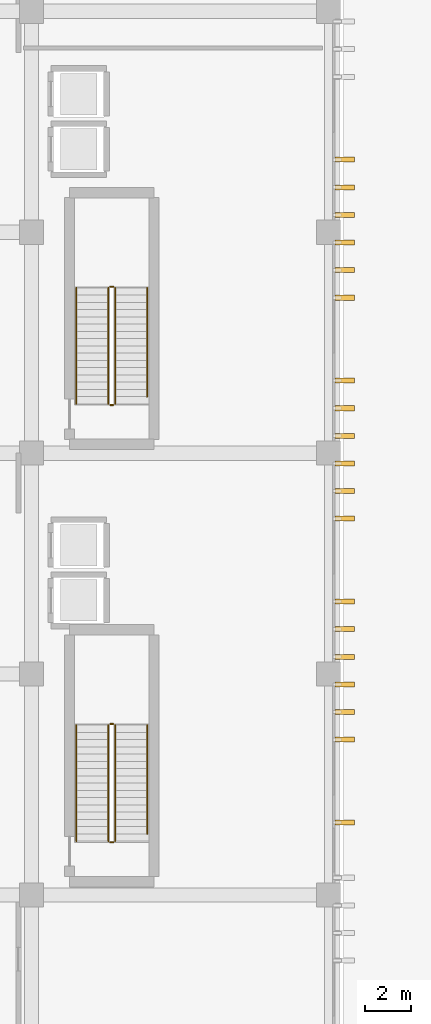
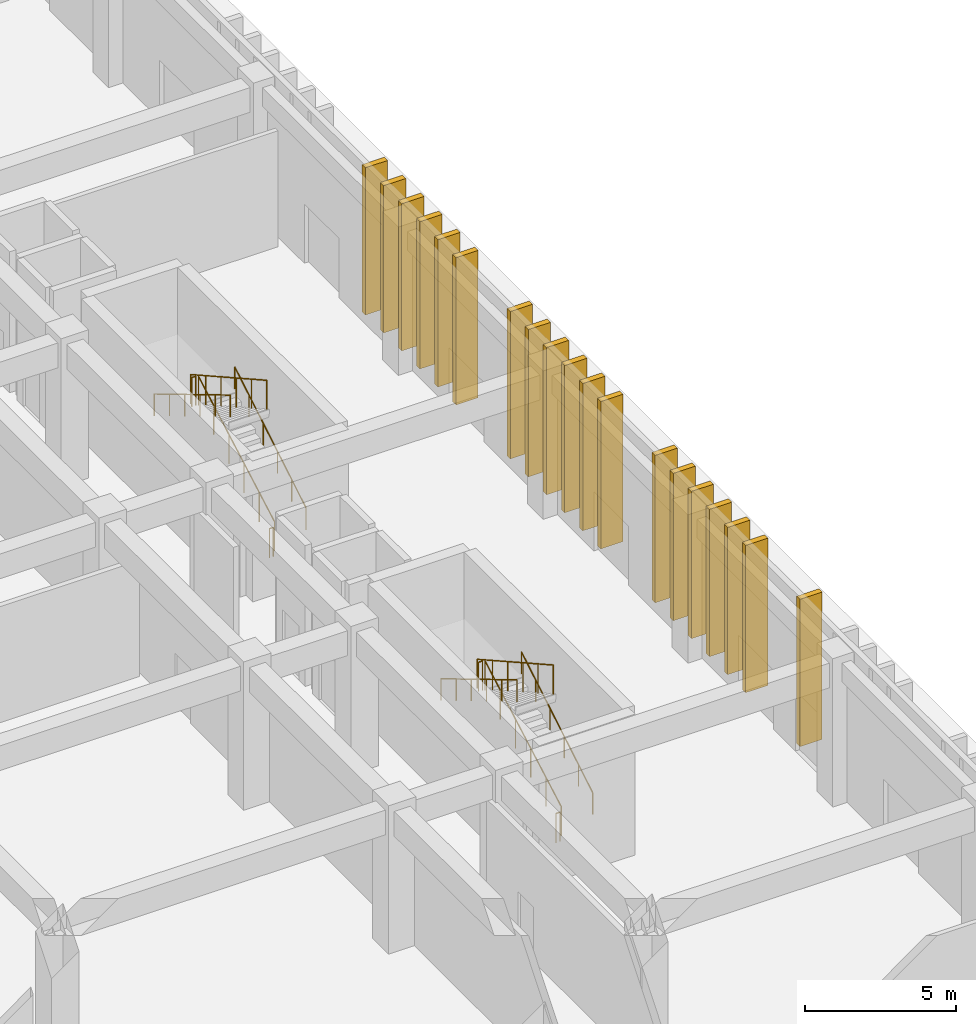
# One storey, part 78 of 87: 19 coverings, 19 shading devices, 12 railings.
"""IFC4 building model written with IfcOpenShell, lengths in metres."""

import ifcopenshell
import ifcopenshell.guid

model = None  # the IFC model being written
_history = None  # IfcOwnerHistory: only IFC2X3 demands one
_inside = {}  # id of a spatial element -> (the spatial element, [elements in it])
_under = {}  # id of a project, library or spatial element -> (it, [spatial elements below it])
_declared = {}  # id of a project -> (the project, [libraries it declares])
_typed = {}  # id of a type object -> (the type object, [elements of that type])
_made_of = {}  # id of a material, layer set ... -> (it, [elements and type objects made of it])


def new_model(schema):
    """Start an empty IFC model of exactly this schema.

    Asked for "IFC4X3", IfcOpenShell would pick the latest addendum, in which some entities
    have other attributes; the version numbers below select the first issue.
    IFC2X3 requires an IfcOwnerHistory on every rooted entity: one is made here for all.
    """
    global model, _history
    if schema == "IFC4X3":
        model = ifcopenshell.file(schema_version=(4, 3, 0, 0))
    else:
        model = ifcopenshell.file(schema=schema)
    _inside.clear()
    _under.clear()
    _declared.clear()
    _typed.clear()
    _made_of.clear()
    _history = None
    if model.schema == "IFC2X3":
        org = make("IfcOrganization", Name="unknown")
        user = make(
            "IfcPersonAndOrganization",
            ThePerson=make("IfcPerson", FamilyName="unknown"),
            TheOrganization=org,
        )
        app = make(
            "IfcApplication",
            ApplicationDeveloper=org,
            Version="unknown",
            ApplicationFullName="unknown",
            ApplicationIdentifier="unknown",
        )
        _history = make(
            "IfcOwnerHistory",
            OwningUser=user,
            OwningApplication=app,
            ChangeAction="ADDED",
            CreationDate=0,
        )
    return model


def make(cls, **values):
    """One entity of the class cls with the attributes given. An attribute that is None is left unset."""
    return model.create_entity(
        cls, **{name: value for name, value in values.items() if value is not None}
    )


def rooted(cls, **values):
    """An entity with a GlobalId (a new one), such as an element, a storey or a relation."""
    return make(cls, GlobalId=ifcopenshell.guid.new(), OwnerHistory=_history, **values)


def si_unit(unit_type, name, prefix=None):
    """IfcSIUnit, for example si_unit("LENGTHUNIT", "METRE", prefix="MILLI")."""
    return make("IfcSIUnit", UnitType=unit_type, Prefix=prefix, Name=name)


def assignment(units):
    """IfcUnitAssignment: the units of a project."""
    return None if units is None else make("IfcUnitAssignment", Units=units)


def point(xyz):
    """IfcCartesianPoint."""
    return None if xyz is None else make("IfcCartesianPoint", Coordinates=xyz)


def direction(xyz):
    """IfcDirection."""
    return None if xyz is None else make("IfcDirection", DirectionRatios=xyz)


def frame(location, z_axis=None, x_axis=None):
    """IfcAxis2Placement3D, a coordinate frame: its origin and axes. An axis left out is left unset."""
    return make(
        "IfcAxis2Placement3D",
        Location=point(location),
        Axis=direction(z_axis),
        RefDirection=direction(x_axis),
    )


def frame_2d(location, x_axis=None):
    """IfcAxis2Placement2D, a coordinate frame in the plane: its origin and x axis."""
    return make(
        "IfcAxis2Placement2D", Location=point(location), RefDirection=direction(x_axis)
    )


def origin():
    """The frame at (0, 0, 0) with its axes left unset."""
    return frame((0.0, 0.0, 0.0))


def origin_2d():
    """The frame at (0, 0) in the plane with its x axis left unset."""
    return frame_2d((0.0, 0.0))


def place(relative_to, where):
    """IfcLocalPlacement: puts the frame where relative to a parent placement (None: the world)."""
    return make(
        "IfcLocalPlacement", PlacementRelTo=relative_to, RelativePlacement=where
    )


def context(
    kind, dimensions, precision=None, world=None, true_north=None, identifier=None
):
    """IfcGeometricRepresentationContext, for example the 3D "Model" context."""
    return make(
        "IfcGeometricRepresentationContext",
        ContextIdentifier=identifier,
        ContextType=kind,
        CoordinateSpaceDimension=dimensions,
        Precision=precision,
        WorldCoordinateSystem=world,
        TrueNorth=true_north,
    )


def subcontext(parent, identifier, kind, view, scale=None):
    """IfcGeometricRepresentationSubContext, for example "Body" below "Model"."""
    return make(
        "IfcGeometricRepresentationSubContext",
        ContextIdentifier=identifier,
        ContextType=kind,
        ParentContext=parent,
        TargetScale=scale,
        TargetView=view,
    )


def project(units=None, contexts=None):
    """IfcProject with its units and contexts."""
    return rooted(
        "IfcProject",
        Name="project",
        RepresentationContexts=contexts,
        UnitsInContext=assignment(units),
    )


def spatial(cls, under=None, at=None, **own):
    """A site, building, storey or space (cls), placed at a placement, below another one or the project."""
    s = rooted(cls, ObjectPlacement=at, **own)
    if under is not None:
        _under.setdefault(under.id(), (under, []))[1].append(s)
    return s


def profile(cls, at=None, kind="AREA", **sizes):
    """A parametric profile (cls). Its sizes go by their IFC names, for example OverallWidth=200.0."""
    return make(cls, ProfileType=kind, Position=at, **sizes)


def rectangle(**sizes):
    """IfcRectangleProfileDef."""
    return profile("IfcRectangleProfileDef", **sizes)


def circle(**sizes):
    """IfcCircleProfileDef."""
    return profile("IfcCircleProfileDef", **sizes)


def extrude(swept, where, along, depth):
    """IfcExtrudedAreaSolid: the profile swept, set in the frame where, extruded along a direction by depth."""
    return make(
        "IfcExtrudedAreaSolid",
        SweptArea=swept,
        Position=where,
        ExtrudedDirection=direction(along),
        Depth=depth,
    )


def shape(context_of_items, identifier, shape_type, items):
    """IfcShapeRepresentation: the items that make up one representation, for example the "Body"."""
    return make(
        "IfcShapeRepresentation",
        ContextOfItems=context_of_items,
        RepresentationIdentifier=identifier,
        RepresentationType=shape_type,
        Items=items,
    )


def material(Name=None, Category=None):
    """IfcMaterial."""
    return make("IfcMaterial", Name=Name, Category=Category)


def layer(
    of_material, thickness, ventilated=None, Name=None, Category=None, Priority=None
):
    """IfcMaterialLayer: one layer of a wall or slab, of a material (None: an air gap)."""
    return make(
        "IfcMaterialLayer",
        Material=of_material,
        LayerThickness=thickness,
        IsVentilated=ventilated,
        Name=Name,
        Category=Category,
        Priority=Priority,
    )


def layer_set(layers, Name=None):
    """IfcMaterialLayerSet."""
    return make("IfcMaterialLayerSet", MaterialLayers=layers, LayerSetName=Name)


def made_of(thing, what):
    """Note that an element or type object is made of a material, layer set ...; save() writes the relation."""
    if what is not None:
        _made_of.setdefault(what.id(), (what, []))[1].append(thing)
    return thing


def type_object(cls, material=None, **own):
    """A type object (cls), such as IfcWallType, which elements share."""
    return made_of(rooted(cls, **own), material)


def element(
    cls,
    number,
    at=None,
    inside=None,
    cuts=None,
    type_object=None,
    material=None,
    context=None,
    identifier="Body",
    shape_type=None,
    held_by="IfcProductDefinitionShape",
    body=None,
    shapes=None,
    **own,
):
    """One element of the class cls, such as IfcWall. Its Tag is "e" and its number.

    at: its placement. inside: the storey or other place that contains it. cuts: it is an
    opening in that element (IfcRelVoidsElement). A single representation is given by context,
    identifier, shape_type and body (its items); several are given by shapes. held_by: the class
    of the entity that holds the representations. save() writes the other relations.
    """
    e = rooted(cls, Tag="e%d" % number, ObjectPlacement=at, **own)
    if body is not None:
        shapes = [shape(context, identifier, shape_type, body)]
    if shapes is not None:
        e.Representation = make(held_by, Representations=shapes)
    if inside is not None:
        _inside.setdefault(inside.id(), (inside, []))[1].append(e)
    if cuts is not None:
        rooted(
            "IfcRelVoidsElement", RelatingBuildingElement=cuts, RelatedOpeningElement=e
        )
    if type_object is not None:
        _typed.setdefault(type_object.id(), (type_object, []))[1].append(e)
    return made_of(e, material)


def aggregate(whole, parts):
    """IfcRelAggregates: a whole, such as a stair, and the parts it consists of."""
    return rooted("IfcRelAggregates", RelatingObject=whole, RelatedObjects=parts)


def save(model, path):
    """Write the relations noted so far, then the file.

    IfcRelAggregates (storeys below a building ...), IfcRelContainedInSpatialStructure (elements
    in a storey), IfcRelDefinesByType, IfcRelAssociatesMaterial and IfcRelDeclares: one each for
    every whole, place, type object, material and project.
    """
    for whole, parts in _under.values():
        aggregate(whole, parts)
    for where, things in _inside.values():
        rooted(
            "IfcRelContainedInSpatialStructure",
            RelatedElements=things,
            RelatingStructure=where,
        )
    for kind, things in _typed.values():
        rooted("IfcRelDefinesByType", RelatedObjects=things, RelatingType=kind)
    for what, things in _made_of.values():
        rooted("IfcRelAssociatesMaterial", RelatedObjects=things, RelatingMaterial=what)
    for by, libraries in _declared.values():
        rooted("IfcRelDeclares", RelatingContext=by, RelatedDefinitions=libraries)
    model.write(path)


model = new_model("IFC4")

# Units and contexts
model_context = context("Model", 3, precision=1e-05, world=origin(), true_north=direction((0.0, 1.0)))
body_context = subcontext(model_context, "Body", "Model", "MODEL_VIEW")
ifc_project = project(units=[si_unit("LENGTHUNIT", "METRE"), si_unit("AREAUNIT", "SQUARE_METRE"), si_unit("VOLUMEUNIT", "CUBIC_METRE"), si_unit("PLANEANGLEUNIT", "RADIAN"), si_unit("MASSUNIT", "GRAM", prefix="KILO")], contexts=[model_context])

# Site, building, storey
site_placement = place(None, origin())
site = spatial("IfcSite", under=ifc_project, at=site_placement, CompositionType="ELEMENT")
building_placement = place(site_placement, origin())
building = spatial("IfcBuilding", under=site, at=building_placement, Name="Nakhvara Creek Congress Hotel", CompositionType="ELEMENT")
storey_placement = place(building_placement, origin())
storey = spatial("IfcBuildingStorey", under=building, at=storey_placement, Name="L00", CompositionType="ELEMENT", Elevation=0.0)

# Coverings
ifc_material_1 = material(Name="Honed pale Omani limestone architectural cladding", Category="masonry")
ifc_layer = layer(ifc_material_1, 0.219970703125)
ifc_layer_set = layer_set([ifc_layer], Name="Honed pale Omani limestone architectural cladding")
covering_type = type_object("IfcCoveringType", Name="COV-FIN-850", PredefinedType="CLADDING", material=ifc_layer_set)
for number, where, z_axis, x_axis, name in (
    (1, (180.054931640625, 31.949951171875, 0.0), (0.0, 0.0, 1.0), (0.0, 1.0, 0.0), "Pale Limestone Fin Cladding CF01-0553"),
    (2, (180.054931640625, 35.550048828125, 0.0), (0.0, 0.0, 1.0), (0.0, 1.0, 0.0), "Pale Limestone Fin Cladding CF01-0554"),
    (3, (180.054931640625, 36.75, 0.0), (0.0, 0.0, 1.0), (0.0, 1.0, 0.0), "Pale Limestone Fin Cladding CF01-0555"),
    (4, (180.054931640625, 37.949951171875, 0.0), (0.0, 0.0, 1.0), (0.0, 1.0, 0.0), "Pale Limestone Fin Cladding CF01-0556"),
    (5, (180.054931640625, 39.14990234375, 0.0), (0.0, 0.0, 1.0), (0.0, 1.0, 0.0), "Pale Limestone Fin Cladding CF01-0557"),
    (6, (180.054931640625, 40.35009765625, 0.0), (0.0, 0.0, 1.0), (0.0, 1.0, 0.0), "Pale Limestone Fin Cladding CF01-0558"),
    (7, (180.054931640625, 41.550048828125, 0.0), (0.0, 0.0, 1.0), (0.0, 1.0, 0.0), "Pale Limestone Fin Cladding CF01-0559"),
    (8, (180.054931640625, 45.14990234375, 0.0), (0.0, 0.0, 1.0), (0.0, 1.0, 0.0), "Pale Limestone Fin Cladding CF01-0560"),
    (9, (180.054931640625, 46.35009765625, 0.0), (0.0, 0.0, 1.0), (0.0, 1.0, 0.0), "Pale Limestone Fin Cladding CF01-0561"),
    (10, (180.054931640625, 47.550048828125, 0.0), (0.0, 0.0, 1.0), (0.0, 1.0, 0.0), "Pale Limestone Fin Cladding CF01-0562"),
    (11, (180.054931640625, 48.75, 0.0), (0.0, 0.0, 1.0), (0.0, 1.0, 0.0), "Pale Limestone Fin Cladding CF01-0563"),
    (12, (180.054931640625, 49.949951171875, 0.0), (0.0, 0.0, 1.0), (0.0, 1.0, 0.0), "Pale Limestone Fin Cladding CF01-0564"),
    (13, (180.054931640625, 51.14990234375, 0.0), (0.0, 0.0, 1.0), (0.0, 1.0, 0.0), "Pale Limestone Fin Cladding CF01-0565"),
    (14, (180.054931640625, 54.75, 0.0), (0.0, 0.0, 1.0), (0.0, 1.0, 0.0), "Pale Limestone Fin Cladding CF01-0566"),
    (15, (180.054931640625, 55.949951171875, 0.0), (0.0, 0.0, 1.0), (0.0, 1.0, 0.0), "Pale Limestone Fin Cladding CF01-0567"),
    (16, (180.054931640625, 57.14990234375, 0.0), (0.0, 0.0, 1.0), (0.0, 1.0, 0.0), "Pale Limestone Fin Cladding CF01-0568"),
    (17, (180.054931640625, 58.35009765625, 0.0), (0.0, 0.0, 1.0), (0.0, 1.0, 0.0), "Pale Limestone Fin Cladding CF01-0569"),
    (18, (180.054931640625, 59.550048828125, 0.0), (0.0, 0.0, 1.0), (0.0, 1.0, 0.0), "Pale Limestone Fin Cladding CF01-0570"),
    (19, (180.054931640625, 60.75, 0.0), (0.0, 0.0, 1.0), (0.0, 1.0, 0.0), "Pale Limestone Fin Cladding CF01-0571"),
):
    element("IfcCovering", number, at=place(storey_placement, frame(where, z_axis=z_axis, x_axis=x_axis)), inside=storey, type_object=covering_type, Name=name, PredefinedType="CLADDING", context=body_context, shape_type="SweptSolid", body=[
        extrude(rectangle(XDim=0.219970703125, YDim=0.85009765625, at=origin_2d()), origin(), (0.0, 0.0, 1.0), 5.9599609375),
    ])

# Railings
ifc_material_2 = material(Name="Brushed stainless steel 316L", Category="steel")
railing_type_1 = type_object("IfcRailingType", Name="RL-GUARD-1200", PredefinedType="GUARDRAIL", material=ifc_material_2)
railing_1_placement = place(storey_placement, frame((170.0849609375, 31.139892578125, 0.176513671875)))
element("IfcRailing", 20, at=railing_1_placement, inside=storey, type_object=railing_type_1, Name="L00 ST03 stair guard 1", PredefinedType="GUARDRAIL", context=body_context, shape_type="SweptSolid", body=[
    extrude(circle(Radius=0.02392578125, at=origin_2d()), frame((0.0, 0.012939453125, 1.18310546875), z_axis=(0.0, 0.872427454555, 0.488743630688), x_axis=(-1.0, 0.0, 0.0)), (0.0, 0.0, 1.0), 5.74755859375),
    extrude(circle(Radius=0.02099609375, at=origin_2d()), origin(), (0.0, 0.0, 1.0), 1.1806640625),
    extrude(circle(Radius=0.02099609375, at=origin_2d()), frame((0.0, 1.008056640625, 0.564697265625)), (0.0, 0.0, 1.0), 1.1806640625),
    extrude(circle(Radius=0.02099609375, at=origin_2d()), frame((0.0, 2.01611328125, 1.12939453125)), (0.0, 0.0, 1.0), 1.1806640625),
    extrude(circle(Radius=0.02099609375, at=origin_2d()), frame((0.0, 3.02392578125, 1.694091796875)), (0.0, 0.0, 1.0), 1.1806640625),
    extrude(circle(Radius=0.02099609375, at=origin_2d()), frame((0.0, 4.031982421875, 2.2587890625)), (0.0, 0.0, 1.0), 1.1806640625),
    extrude(circle(Radius=0.02099609375, at=origin_2d()), frame((0.0, 5.0400390625, 2.823486328125)), (0.0, 0.0, 1.0), 1.1806640625),
])
railing_2_placement = place(storey_placement, frame((170.010009765625, 36.22998046875, 3.0)))
element("IfcRailing", 21, at=railing_2_placement, inside=storey, type_object=railing_type_1, Name="L00 ST03 stair guard 2", PredefinedType="GUARDRAIL", context=body_context, shape_type="SweptSolid", body=[
    extrude(circle(Radius=0.02392578125, at=origin_2d()), frame((-0.0146484375, 0.0, 1.17578125), z_axis=(-1.0, 0.0, 0.0), x_axis=(0.0, -1.0, 0.0)), (0.0, 0.0, 1.0), 0.12060546875),
    extrude(circle(Radius=0.02099609375, at=origin_2d()), origin(), (0.0, 0.0, 1.0), 1.1806640625),
    extrude(circle(Radius=0.02099609375, at=origin_2d()), frame((-0.14990234375, 0.0, 0.0)), (0.0, 0.0, 1.0), 1.1806640625),
])
railing_3_placement = place(storey_placement, frame((169.784912109375, 36.179931640625, 3.176513671875)))
element("IfcRailing", 22, at=railing_3_placement, inside=storey, type_object=railing_type_1, Name="L00 ST03 stair guard 3", PredefinedType="GUARDRAIL", context=body_context, shape_type="SweptSolid", body=[
    extrude(circle(Radius=0.02392578125, at=origin_2d()), frame((0.0, -0.012939453125, 1.18310546875), z_axis=(0.0, -0.872427454555, 0.488743630688), x_axis=(1.0, 0.0, 0.0)), (0.0, 0.0, 1.0), 5.74755859375),
    extrude(circle(Radius=0.02099609375, at=origin_2d()), origin(), (0.0, 0.0, 1.0), 1.1806640625),
    extrude(circle(Radius=0.02099609375, at=origin_2d()), frame((0.0, -1.008056640625, 0.564697265625)), (0.0, 0.0, 1.0), 1.1806640625),
    extrude(circle(Radius=0.02099609375, at=origin_2d()), frame((0.0, -2.01611328125, 1.12939453125)), (0.0, 0.0, 1.0), 1.1806640625),
    extrude(circle(Radius=0.02099609375, at=origin_2d()), frame((0.0, -3.02392578125, 1.694091796875)), (0.0, 0.0, 1.0), 1.1806640625),
    extrude(circle(Radius=0.02099609375, at=origin_2d()), frame((0.0, -4.031982421875, 2.2587890625)), (0.0, 0.0, 1.0), 1.1806640625),
    extrude(circle(Radius=0.02099609375, at=origin_2d()), frame((0.0, -5.0400390625, 2.823486328125)), (0.0, 0.0, 1.0), 1.1806640625),
])
railing_4_placement = place(storey_placement, frame((170.010009765625, 31.090087890625, 0.0)))
element("IfcRailing", 23, at=railing_4_placement, inside=storey, type_object=railing_type_1, Name="L00 ST03 stair guard 4", PredefinedType="GUARDRAIL", context=body_context, shape_type="SweptSolid", body=[
    extrude(circle(Radius=0.02392578125, at=origin_2d()), frame((-0.0146484375, 0.0, 1.17578125), z_axis=(-1.0, 0.0, 0.0), x_axis=(0.0, -1.0, 0.0)), (0.0, 0.0, 1.0), 0.12060546875),
    extrude(circle(Radius=0.02099609375, at=origin_2d()), origin(), (0.0, 0.0, 1.0), 1.1806640625),
    extrude(circle(Radius=0.02099609375, at=origin_2d()), frame((-0.14990234375, 0.0, 0.0)), (0.0, 0.0, 1.0), 1.1806640625),
])
railing_5_placement = place(storey_placement, frame((170.0849609375, 50.139892578125, 0.176513671875)))
element("IfcRailing", 24, at=railing_5_placement, inside=storey, type_object=railing_type_1, Name="L00 ST04 stair guard 1", PredefinedType="GUARDRAIL", context=body_context, shape_type="SweptSolid", body=[
    extrude(circle(Radius=0.02392578125, at=origin_2d()), frame((0.0, 0.012939453125, 1.18310546875), z_axis=(0.0, 0.872427454555, 0.488743630688), x_axis=(-1.0, 0.0, 0.0)), (0.0, 0.0, 1.0), 5.74755859375),
    extrude(circle(Radius=0.02099609375, at=origin_2d()), origin(), (0.0, 0.0, 1.0), 1.1806640625),
    extrude(circle(Radius=0.02099609375, at=origin_2d()), frame((0.0, 1.008056640625, 0.564697265625)), (0.0, 0.0, 1.0), 1.1806640625),
    extrude(circle(Radius=0.02099609375, at=origin_2d()), frame((0.0, 2.01611328125, 1.12939453125)), (0.0, 0.0, 1.0), 1.1806640625),
    extrude(circle(Radius=0.02099609375, at=origin_2d()), frame((0.0, 3.02392578125, 1.694091796875)), (0.0, 0.0, 1.0), 1.1806640625),
    extrude(circle(Radius=0.02099609375, at=origin_2d()), frame((0.0, 4.031982421875, 2.2587890625)), (0.0, 0.0, 1.0), 1.1806640625),
    extrude(circle(Radius=0.02099609375, at=origin_2d()), frame((0.0, 5.0400390625, 2.823486328125)), (0.0, 0.0, 1.0), 1.1806640625),
])
railing_6_placement = place(storey_placement, frame((170.010009765625, 55.22998046875, 3.0)))
element("IfcRailing", 25, at=railing_6_placement, inside=storey, type_object=railing_type_1, Name="L00 ST04 stair guard 2", PredefinedType="GUARDRAIL", context=body_context, shape_type="SweptSolid", body=[
    extrude(circle(Radius=0.02392578125, at=origin_2d()), frame((-0.0146484375, 0.0, 1.17578125), z_axis=(-1.0, 0.0, 0.0), x_axis=(0.0, -1.0, 0.0)), (0.0, 0.0, 1.0), 0.12060546875),
    extrude(circle(Radius=0.02099609375, at=origin_2d()), origin(), (0.0, 0.0, 1.0), 1.1806640625),
    extrude(circle(Radius=0.02099609375, at=origin_2d()), frame((-0.14990234375, 0.0, 0.0)), (0.0, 0.0, 1.0), 1.1806640625),
])
railing_7_placement = place(storey_placement, frame((169.784912109375, 55.179931640625, 3.176513671875)))
element("IfcRailing", 26, at=railing_7_placement, inside=storey, type_object=railing_type_1, Name="L00 ST04 stair guard 3", PredefinedType="GUARDRAIL", context=body_context, shape_type="SweptSolid", body=[
    extrude(circle(Radius=0.02392578125, at=origin_2d()), frame((0.0, -0.012939453125, 1.18310546875), z_axis=(0.0, -0.872427454555, 0.488743630688), x_axis=(1.0, 0.0, 0.0)), (0.0, 0.0, 1.0), 5.74755859375),
    extrude(circle(Radius=0.02099609375, at=origin_2d()), origin(), (0.0, 0.0, 1.0), 1.1806640625),
    extrude(circle(Radius=0.02099609375, at=origin_2d()), frame((0.0, -1.008056640625, 0.564697265625)), (0.0, 0.0, 1.0), 1.1806640625),
    extrude(circle(Radius=0.02099609375, at=origin_2d()), frame((0.0, -2.01611328125, 1.12939453125)), (0.0, 0.0, 1.0), 1.1806640625),
    extrude(circle(Radius=0.02099609375, at=origin_2d()), frame((0.0, -3.02392578125, 1.694091796875)), (0.0, 0.0, 1.0), 1.1806640625),
    extrude(circle(Radius=0.02099609375, at=origin_2d()), frame((0.0, -4.031982421875, 2.2587890625)), (0.0, 0.0, 1.0), 1.1806640625),
    extrude(circle(Radius=0.02099609375, at=origin_2d()), frame((0.0, -5.0400390625, 2.823486328125)), (0.0, 0.0, 1.0), 1.1806640625),
])
railing_8_placement = place(storey_placement, frame((170.010009765625, 50.090087890625, 0.0)))
element("IfcRailing", 27, at=railing_8_placement, inside=storey, type_object=railing_type_1, Name="L00 ST04 stair guard 4", PredefinedType="GUARDRAIL", context=body_context, shape_type="SweptSolid", body=[
    extrude(circle(Radius=0.02392578125, at=origin_2d()), frame((-0.0146484375, 0.0, 1.17578125), z_axis=(-1.0, 0.0, 0.0), x_axis=(0.0, -1.0, 0.0)), (0.0, 0.0, 1.0), 0.12060546875),
    extrude(circle(Radius=0.02099609375, at=origin_2d()), origin(), (0.0, 0.0, 1.0), 1.1806640625),
    extrude(circle(Radius=0.02099609375, at=origin_2d()), frame((-0.14990234375, 0.0, 0.0)), (0.0, 0.0, 1.0), 1.1806640625),
])
railing_type_2 = type_object("IfcRailingType", Name="RL-HAND-900", PredefinedType="HANDRAIL", material=ifc_material_2)
railing_9_placement = place(storey_placement, frame((171.47509765625, 31.455078125, 0.35302734375)))
element("IfcRailing", 28, at=railing_9_placement, inside=storey, type_object=railing_type_2, Name="L00 ST03 stair handrail 1", PredefinedType="HANDRAIL", context=body_context, shape_type="SweptSolid", body=[
    extrude(circle(Radius=0.02392578125, at=origin_2d()), frame((0.0, 0.0126953125, 0.88330078125), z_axis=(0.0, 0.857528110924, 0.514437108863), x_axis=(-1.0, 0.0, 0.0)), (0.0, 0.0, 1.0), 5.48046875),
    extrude(circle(Radius=0.02099609375, at=origin_2d()), origin(), (0.0, 0.0, 1.0), 0.880615234375),
    extrude(circle(Radius=0.02099609375, at=origin_2d()), frame((0.0, 0.945068359375, 0.56689453125)), (0.0, 0.0, 1.0), 0.880615234375),
    extrude(circle(Radius=0.02099609375, at=origin_2d()), frame((0.0, 1.889892578125, 1.1337890625)), (0.0, 0.0, 1.0), 0.880615234375),
    extrude(circle(Radius=0.02099609375, at=origin_2d()), frame((0.0, 2.8349609375, 1.70068359375)), (0.0, 0.0, 1.0), 0.880615234375),
    extrude(circle(Radius=0.02099609375, at=origin_2d()), frame((0.0, 3.77978515625, 2.267578125)), (0.0, 0.0, 1.0), 0.880615234375),
    extrude(circle(Radius=0.02099609375, at=origin_2d()), frame((0.0, 4.724853515625, 2.83447265625)), (0.0, 0.0, 1.0), 0.880615234375),
])
railing_10_placement = place(storey_placement, frame((168.39501953125, 36.179931640625, 3.176513671875)))
element("IfcRailing", 29, at=railing_10_placement, inside=storey, type_object=railing_type_2, Name="L00 ST03 stair handrail 2", PredefinedType="HANDRAIL", context=body_context, shape_type="SweptSolid", body=[
    extrude(circle(Radius=0.02392578125, at=origin_2d()), frame((0.0, -0.0126953125, 0.88330078125), z_axis=(0.0, -0.858471053773, 0.512862018319), x_axis=(1.0, 0.0, 0.0)), (0.0, 0.0, 1.0), 5.841552734375),
    extrude(circle(Radius=0.02099609375, at=origin_2d()), origin(), (0.0, 0.0, 1.0), 0.880615234375),
    extrude(circle(Radius=0.02099609375, at=origin_2d()), frame((0.0, -1.008056640625, 0.602294921875)), (0.0, 0.0, 1.0), 0.880615234375),
    extrude(circle(Radius=0.02099609375, at=origin_2d()), frame((0.0, -2.01611328125, 1.204345703125)), (0.0, 0.0, 1.0), 0.880615234375),
    extrude(circle(Radius=0.02099609375, at=origin_2d()), frame((0.0, -3.02392578125, 1.806640625)), (0.0, 0.0, 1.0), 0.880615234375),
    extrude(circle(Radius=0.02099609375, at=origin_2d()), frame((0.0, -4.031982421875, 2.40869140625)), (0.0, 0.0, 1.0), 0.880615234375),
    extrude(circle(Radius=0.02099609375, at=origin_2d()), frame((0.0, -5.0400390625, 3.010986328125)), (0.0, 0.0, 1.0), 0.880615234375),
])
railing_11_placement = place(storey_placement, frame((171.47509765625, 50.455078125, 0.35302734375)))
element("IfcRailing", 30, at=railing_11_placement, inside=storey, type_object=railing_type_2, Name="L00 ST04 stair handrail 1", PredefinedType="HANDRAIL", context=body_context, shape_type="SweptSolid", body=[
    extrude(circle(Radius=0.02392578125, at=origin_2d()), frame((0.0, 0.0126953125, 0.88330078125), z_axis=(0.0, 0.857528110924, 0.514437108863), x_axis=(-1.0, 0.0, 0.0)), (0.0, 0.0, 1.0), 5.48046875),
    extrude(circle(Radius=0.02099609375, at=origin_2d()), origin(), (0.0, 0.0, 1.0), 0.880615234375),
    extrude(circle(Radius=0.02099609375, at=origin_2d()), frame((0.0, 0.945068359375, 0.56689453125)), (0.0, 0.0, 1.0), 0.880615234375),
    extrude(circle(Radius=0.02099609375, at=origin_2d()), frame((0.0, 1.889892578125, 1.1337890625)), (0.0, 0.0, 1.0), 0.880615234375),
    extrude(circle(Radius=0.02099609375, at=origin_2d()), frame((0.0, 2.8349609375, 1.70068359375)), (0.0, 0.0, 1.0), 0.880615234375),
    extrude(circle(Radius=0.02099609375, at=origin_2d()), frame((0.0, 3.77978515625, 2.267578125)), (0.0, 0.0, 1.0), 0.880615234375),
    extrude(circle(Radius=0.02099609375, at=origin_2d()), frame((0.0, 4.724853515625, 2.83447265625)), (0.0, 0.0, 1.0), 0.880615234375),
])
railing_12_placement = place(storey_placement, frame((168.39501953125, 55.179931640625, 3.176513671875)))
element("IfcRailing", 31, at=railing_12_placement, inside=storey, type_object=railing_type_2, Name="L00 ST04 stair handrail 2", PredefinedType="HANDRAIL", context=body_context, shape_type="SweptSolid", body=[
    extrude(circle(Radius=0.02392578125, at=origin_2d()), frame((0.0, -0.0126953125, 0.88330078125), z_axis=(0.0, -0.858471053773, 0.512862018319), x_axis=(1.0, 0.0, 0.0)), (0.0, 0.0, 1.0), 5.841552734375),
    extrude(circle(Radius=0.02099609375, at=origin_2d()), origin(), (0.0, 0.0, 1.0), 0.880615234375),
    extrude(circle(Radius=0.02099609375, at=origin_2d()), frame((0.0, -1.008056640625, 0.602294921875)), (0.0, 0.0, 1.0), 0.880615234375),
    extrude(circle(Radius=0.02099609375, at=origin_2d()), frame((0.0, -2.01611328125, 1.204345703125)), (0.0, 0.0, 1.0), 0.880615234375),
    extrude(circle(Radius=0.02099609375, at=origin_2d()), frame((0.0, -3.02392578125, 1.806640625)), (0.0, 0.0, 1.0), 0.880615234375),
    extrude(circle(Radius=0.02099609375, at=origin_2d()), frame((0.0, -4.031982421875, 2.40869140625)), (0.0, 0.0, 1.0), 0.880615234375),
    extrude(circle(Radius=0.02099609375, at=origin_2d()), frame((0.0, -5.0400390625, 3.010986328125)), (0.0, 0.0, 1.0), 0.880615234375),
])

# Shading devices
ifc_material_3 = material(Name="Honed pale Omani limestone cladding on stainless steel spine", Category="masonry")
shading_device_type = type_object("IfcShadingDeviceType", Name="SHD-FIN-850X5800", PredefinedType="USERDEFINED", material=ifc_material_3)
for number, where, z_axis, x_axis, name in (
    (32, (180.054931640625, 31.949951171875, 0.0), (0.0, 0.0, 1.0), (0.0, 1.0, 0.0), "Limestone Solar Fin FN03-0418"),
    (33, (180.054931640625, 35.550048828125, 0.0), (0.0, 0.0, 1.0), (0.0, 1.0, 0.0), "Limestone Solar Fin FN03-0419"),
    (34, (180.054931640625, 36.75, 0.0), (0.0, 0.0, 1.0), (0.0, 1.0, 0.0), "Limestone Solar Fin FN03-0420"),
    (35, (180.054931640625, 37.949951171875, 0.0), (0.0, 0.0, 1.0), (0.0, 1.0, 0.0), "Limestone Solar Fin FN03-0421"),
    (36, (180.054931640625, 39.14990234375, 0.0), (0.0, 0.0, 1.0), (0.0, 1.0, 0.0), "Limestone Solar Fin FN03-0422"),
    (37, (180.054931640625, 40.35009765625, 0.0), (0.0, 0.0, 1.0), (0.0, 1.0, 0.0), "Limestone Solar Fin FN03-0423"),
    (38, (180.054931640625, 41.550048828125, 0.0), (0.0, 0.0, 1.0), (0.0, 1.0, 0.0), "Limestone Solar Fin FN03-0424"),
    (39, (180.054931640625, 45.14990234375, 0.0), (0.0, 0.0, 1.0), (0.0, 1.0, 0.0), "Limestone Solar Fin FN03-0425"),
    (40, (180.054931640625, 46.35009765625, 0.0), (0.0, 0.0, 1.0), (0.0, 1.0, 0.0), "Limestone Solar Fin FN03-0426"),
    (41, (180.054931640625, 47.550048828125, 0.0), (0.0, 0.0, 1.0), (0.0, 1.0, 0.0), "Limestone Solar Fin FN03-0427"),
    (42, (180.054931640625, 48.75, 0.0), (0.0, 0.0, 1.0), (0.0, 1.0, 0.0), "Limestone Solar Fin FN03-0428"),
    (43, (180.054931640625, 49.949951171875, 0.0), (0.0, 0.0, 1.0), (0.0, 1.0, 0.0), "Limestone Solar Fin FN03-0429"),
    (44, (180.054931640625, 51.14990234375, 0.0), (0.0, 0.0, 1.0), (0.0, 1.0, 0.0), "Limestone Solar Fin FN03-0430"),
    (45, (180.054931640625, 54.75, 0.0), (0.0, 0.0, 1.0), (0.0, 1.0, 0.0), "Limestone Solar Fin FN03-0431"),
    (46, (180.054931640625, 55.949951171875, 0.0), (0.0, 0.0, 1.0), (0.0, 1.0, 0.0), "Limestone Solar Fin FN03-0432"),
    (47, (180.054931640625, 57.14990234375, 0.0), (0.0, 0.0, 1.0), (0.0, 1.0, 0.0), "Limestone Solar Fin FN03-0433"),
    (48, (180.054931640625, 58.35009765625, 0.0), (0.0, 0.0, 1.0), (0.0, 1.0, 0.0), "Limestone Solar Fin FN03-0434"),
    (49, (180.054931640625, 59.550048828125, 0.0), (0.0, 0.0, 1.0), (0.0, 1.0, 0.0), "Limestone Solar Fin FN03-0435"),
    (50, (180.054931640625, 60.75, 0.0), (0.0, 0.0, 1.0), (0.0, 1.0, 0.0), "Limestone Solar Fin FN03-0436"),
):
    element("IfcShadingDevice", number, at=place(storey_placement, frame(where, z_axis=z_axis, x_axis=x_axis)), inside=storey, type_object=shading_device_type, Name=name, ObjectType="FIN", PredefinedType="USERDEFINED", context=body_context, shape_type="SweptSolid", body=[
        extrude(rectangle(XDim=0.219970703125, YDim=0.85009765625, at=origin_2d()), origin(), (0.0, 0.0, 1.0), 5.9599609375),
    ])

save(model, "model.ifc")
